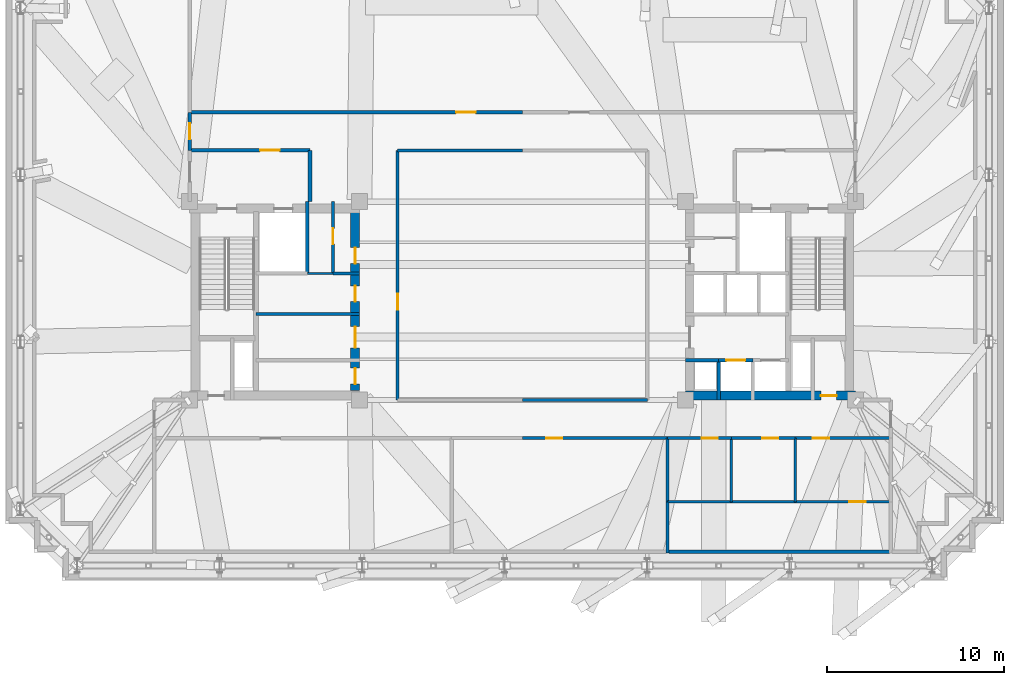
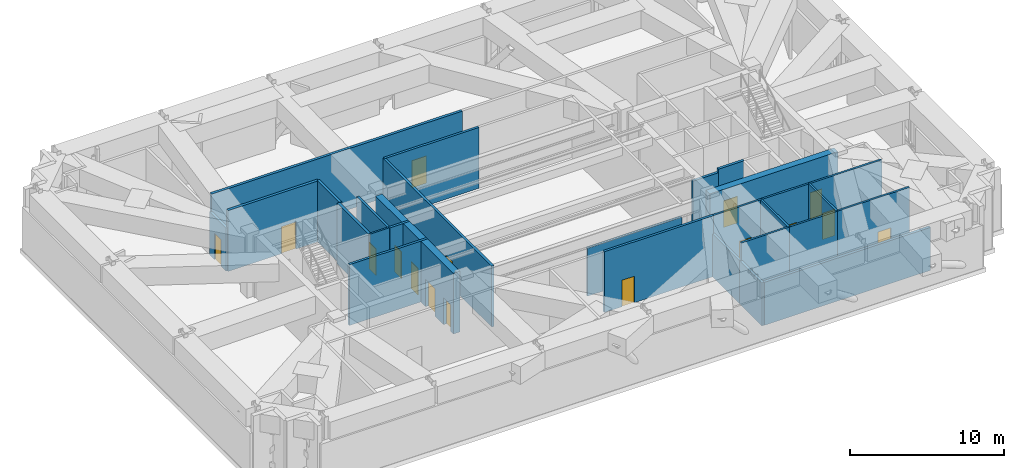
# One storey, part 14 of 18: 29 walls, 16 doors, 16 openings.
"""IFC4 building model written with IfcOpenShell, lengths in metres."""

import ifcopenshell
import ifcopenshell.guid

model = None  # the IFC model being written
_history = None  # IfcOwnerHistory: only IFC2X3 demands one
_inside = {}  # id of a spatial element -> (the spatial element, [elements in it])
_under = {}  # id of a project, library or spatial element -> (it, [spatial elements below it])
_declared = {}  # id of a project -> (the project, [libraries it declares])
_typed = {}  # id of a type object -> (the type object, [elements of that type])
_made_of = {}  # id of a material, layer set ... -> (it, [elements and type objects made of it])


def new_model(schema):
    """Start an empty IFC model of exactly this schema.

    Asked for "IFC4X3", IfcOpenShell would pick the latest addendum, in which some entities
    have other attributes; the version numbers below select the first issue.
    IFC2X3 requires an IfcOwnerHistory on every rooted entity: one is made here for all.
    """
    global model, _history
    if schema == "IFC4X3":
        model = ifcopenshell.file(schema_version=(4, 3, 0, 0))
    else:
        model = ifcopenshell.file(schema=schema)
    _inside.clear()
    _under.clear()
    _declared.clear()
    _typed.clear()
    _made_of.clear()
    _history = None
    if model.schema == "IFC2X3":
        org = make("IfcOrganization", Name="unknown")
        user = make(
            "IfcPersonAndOrganization",
            ThePerson=make("IfcPerson", FamilyName="unknown"),
            TheOrganization=org,
        )
        app = make(
            "IfcApplication",
            ApplicationDeveloper=org,
            Version="unknown",
            ApplicationFullName="unknown",
            ApplicationIdentifier="unknown",
        )
        _history = make(
            "IfcOwnerHistory",
            OwningUser=user,
            OwningApplication=app,
            ChangeAction="ADDED",
            CreationDate=0,
        )
    return model


def make(cls, **values):
    """One entity of the class cls with the attributes given. An attribute that is None is left unset."""
    return model.create_entity(
        cls, **{name: value for name, value in values.items() if value is not None}
    )


def rooted(cls, **values):
    """An entity with a GlobalId (a new one), such as an element, a storey or a relation."""
    return make(cls, GlobalId=ifcopenshell.guid.new(), OwnerHistory=_history, **values)


def si_unit(unit_type, name, prefix=None):
    """IfcSIUnit, for example si_unit("LENGTHUNIT", "METRE", prefix="MILLI")."""
    return make("IfcSIUnit", UnitType=unit_type, Prefix=prefix, Name=name)


def assignment(units):
    """IfcUnitAssignment: the units of a project."""
    return None if units is None else make("IfcUnitAssignment", Units=units)


def point(xyz):
    """IfcCartesianPoint."""
    return None if xyz is None else make("IfcCartesianPoint", Coordinates=xyz)


def direction(xyz):
    """IfcDirection."""
    return None if xyz is None else make("IfcDirection", DirectionRatios=xyz)


def frame(location, z_axis=None, x_axis=None):
    """IfcAxis2Placement3D, a coordinate frame: its origin and axes. An axis left out is left unset."""
    return make(
        "IfcAxis2Placement3D",
        Location=point(location),
        Axis=direction(z_axis),
        RefDirection=direction(x_axis),
    )


def frame_2d(location, x_axis=None):
    """IfcAxis2Placement2D, a coordinate frame in the plane: its origin and x axis."""
    return make(
        "IfcAxis2Placement2D", Location=point(location), RefDirection=direction(x_axis)
    )


def origin():
    """The frame at (0, 0, 0) with its axes left unset."""
    return frame((0.0, 0.0, 0.0))


def place(relative_to, where):
    """IfcLocalPlacement: puts the frame where relative to a parent placement (None: the world)."""
    return make(
        "IfcLocalPlacement", PlacementRelTo=relative_to, RelativePlacement=where
    )


def context(
    kind, dimensions, precision=None, world=None, true_north=None, identifier=None
):
    """IfcGeometricRepresentationContext, for example the 3D "Model" context."""
    return make(
        "IfcGeometricRepresentationContext",
        ContextIdentifier=identifier,
        ContextType=kind,
        CoordinateSpaceDimension=dimensions,
        Precision=precision,
        WorldCoordinateSystem=world,
        TrueNorth=true_north,
    )


def subcontext(parent, identifier, kind, view, scale=None):
    """IfcGeometricRepresentationSubContext, for example "Body" below "Model"."""
    return make(
        "IfcGeometricRepresentationSubContext",
        ContextIdentifier=identifier,
        ContextType=kind,
        ParentContext=parent,
        TargetScale=scale,
        TargetView=view,
    )


def project(units=None, contexts=None):
    """IfcProject with its units and contexts."""
    return rooted(
        "IfcProject",
        Name="project",
        RepresentationContexts=contexts,
        UnitsInContext=assignment(units),
    )


def spatial(cls, under=None, at=None, **own):
    """A site, building, storey or space (cls), placed at a placement, below another one or the project."""
    s = rooted(cls, ObjectPlacement=at, **own)
    if under is not None:
        _under.setdefault(under.id(), (under, []))[1].append(s)
    return s


def profile(cls, at=None, kind="AREA", **sizes):
    """A parametric profile (cls). Its sizes go by their IFC names, for example OverallWidth=200.0."""
    return make(cls, ProfileType=kind, Position=at, **sizes)


def rectangle(**sizes):
    """IfcRectangleProfileDef."""
    return profile("IfcRectangleProfileDef", **sizes)


def extrude(swept, where, along, depth):
    """IfcExtrudedAreaSolid: the profile swept, set in the frame where, extruded along a direction by depth."""
    return make(
        "IfcExtrudedAreaSolid",
        SweptArea=swept,
        Position=where,
        ExtrudedDirection=direction(along),
        Depth=depth,
    )


def shape(context_of_items, identifier, shape_type, items):
    """IfcShapeRepresentation: the items that make up one representation, for example the "Body"."""
    return make(
        "IfcShapeRepresentation",
        ContextOfItems=context_of_items,
        RepresentationIdentifier=identifier,
        RepresentationType=shape_type,
        Items=items,
    )


def material(Name=None, Category=None):
    """IfcMaterial."""
    return make("IfcMaterial", Name=Name, Category=Category)


def layer(
    of_material, thickness, ventilated=None, Name=None, Category=None, Priority=None
):
    """IfcMaterialLayer: one layer of a wall or slab, of a material (None: an air gap)."""
    return make(
        "IfcMaterialLayer",
        Material=of_material,
        LayerThickness=thickness,
        IsVentilated=ventilated,
        Name=Name,
        Category=Category,
        Priority=Priority,
    )


def layer_set(layers, Name=None):
    """IfcMaterialLayerSet."""
    return make("IfcMaterialLayerSet", MaterialLayers=layers, LayerSetName=Name)


def made_of(thing, what):
    """Note that an element or type object is made of a material, layer set ...; save() writes the relation."""
    if what is not None:
        _made_of.setdefault(what.id(), (what, []))[1].append(thing)
    return thing


def type_object(cls, material=None, **own):
    """A type object (cls), such as IfcWallType, which elements share."""
    return made_of(rooted(cls, **own), material)


def element(
    cls,
    number,
    at=None,
    inside=None,
    cuts=None,
    type_object=None,
    material=None,
    context=None,
    identifier="Body",
    shape_type=None,
    held_by="IfcProductDefinitionShape",
    body=None,
    shapes=None,
    **own,
):
    """One element of the class cls, such as IfcWall. Its Tag is "e" and its number.

    at: its placement. inside: the storey or other place that contains it. cuts: it is an
    opening in that element (IfcRelVoidsElement). A single representation is given by context,
    identifier, shape_type and body (its items); several are given by shapes. held_by: the class
    of the entity that holds the representations. save() writes the other relations.
    """
    e = rooted(cls, Tag="e%d" % number, ObjectPlacement=at, **own)
    if body is not None:
        shapes = [shape(context, identifier, shape_type, body)]
    if shapes is not None:
        e.Representation = make(held_by, Representations=shapes)
    if inside is not None:
        _inside.setdefault(inside.id(), (inside, []))[1].append(e)
    if cuts is not None:
        rooted(
            "IfcRelVoidsElement", RelatingBuildingElement=cuts, RelatedOpeningElement=e
        )
    if type_object is not None:
        _typed.setdefault(type_object.id(), (type_object, []))[1].append(e)
    return made_of(e, material)


def fill(opening, filler):
    """IfcRelFillsElement: the door or window that sits in an opening."""
    return rooted(
        "IfcRelFillsElement",
        RelatingOpeningElement=opening,
        RelatedBuildingElement=filler,
    )


def aggregate(whole, parts):
    """IfcRelAggregates: a whole, such as a stair, and the parts it consists of."""
    return rooted("IfcRelAggregates", RelatingObject=whole, RelatedObjects=parts)


def save(model, path):
    """Write the relations noted so far, then the file.

    IfcRelAggregates (storeys below a building ...), IfcRelContainedInSpatialStructure (elements
    in a storey), IfcRelDefinesByType, IfcRelAssociatesMaterial and IfcRelDeclares: one each for
    every whole, place, type object, material and project.
    """
    for whole, parts in _under.values():
        aggregate(whole, parts)
    for where, things in _inside.values():
        rooted(
            "IfcRelContainedInSpatialStructure",
            RelatedElements=things,
            RelatingStructure=where,
        )
    for kind, things in _typed.values():
        rooted("IfcRelDefinesByType", RelatedObjects=things, RelatingType=kind)
    for what, things in _made_of.values():
        rooted("IfcRelAssociatesMaterial", RelatedObjects=things, RelatingMaterial=what)
    for by, libraries in _declared.values():
        rooted("IfcRelDeclares", RelatingContext=by, RelatedDefinitions=libraries)
    model.write(path)


model = new_model("IFC4")

# Units and contexts
model_context = context("Model", 3, precision=1e-05, world=origin(), true_north=direction((0.0, 1.0)))
body_context = subcontext(model_context, "Body", "Model", "MODEL_VIEW")
ifc_project = project(units=[si_unit("LENGTHUNIT", "METRE"), si_unit("AREAUNIT", "SQUARE_METRE"), si_unit("VOLUMEUNIT", "CUBIC_METRE"), si_unit("PLANEANGLEUNIT", "RADIAN"), si_unit("MASSUNIT", "GRAM", prefix="KILO")], contexts=[model_context])

# Site, building, storey
site_placement = place(None, origin())
site = spatial("IfcSite", under=ifc_project, at=site_placement, CompositionType="ELEMENT")
building_placement = place(site_placement, origin())
building = spatial("IfcBuilding", under=site, at=building_placement, Name="Qobustan Lattice House", CompositionType="ELEMENT")
storey_placement = place(building_placement, frame((0.0, 0.0, 174.550048828125)))
storey = spatial("IfcBuildingStorey", under=building, at=storey_placement, Name="L49", CompositionType="ELEMENT", Elevation=174.550048828125)

# Wall, openings, doors
ifc_material_1 = material(Name="Concrete C50/60", Category="concrete")
ifc_layer_1 = layer(ifc_material_1, 0.5)
ifc_layer_set_1 = layer_set([ifc_layer_1], Name="Concrete C50/60")
wall_type_1 = type_object("IfcWallType", Name="WAL-CORE-500", PredefinedType="SHEAR", material=ifc_layer_set_1)
wall_1_placement = place(storey_placement, frame((-9.449951171875, -5.050048828125, 0.0), z_axis=(0.0, 0.0, 1.0), x_axis=(0.0, 1.0, 0.0)))
wall_1 = element("IfcWall", 1, at=wall_1_placement, inside=storey, type_object=wall_type_1, Name="L49 split-core shear wall CW-E", PredefinedType="SHEAR", context=body_context, shape_type="SweptSolid", body=[
    extrude(rectangle(XDim=10.10009765625, YDim=0.5, at=frame_2d((5.050048828125, 0.0))), origin(), (0.0, 0.0, 1.0), 4.820068359375),
])
opening_1_placement = place(wall_1_placement, frame((7.14990234375, 0.0, 0.0)))
opening_1 = element("IfcOpeningElement", 2, at=opening_1_placement, cuts=wall_1, Name="Opening RD-01", PredefinedType="OPENING", context=body_context, shape_type="SweptSolid", body=[
    extrude(rectangle(XDim=0.89990234375, YDim=2.10009765625, at=frame_2d((0.449951171875, 1.050048828125))), frame((0.0, 0.260009765625, 0.0), z_axis=(0.0, -1.0, 0.0), x_axis=(1.0, 0.0, 0.0)), (0.0, 0.0, 1.0), 0.52001953125),
])
opening_2_placement = place(wall_1_placement, frame((2.39990234375, 0.0, 0.0)))
opening_2 = element("IfcOpeningElement", 3, at=opening_2_placement, cuts=wall_1, Name="Opening FD-01", PredefinedType="OPENING", context=body_context, shape_type="SweptSolid", body=[
    extrude(rectangle(XDim=1.199951171875, YDim=2.14990234375, at=frame_2d((0.60009765625, 1.074951171875))), frame((0.0, 0.260009765625, 0.0), z_axis=(0.0, -1.0, 0.0), x_axis=(1.0, 0.0, 0.0)), (0.0, 0.0, 1.0), 0.52001953125),
])
opening_3_placement = place(wall_1_placement, frame((0.35009765625, 0.0, 0.0)))
opening_3 = element("IfcOpeningElement", 4, at=opening_3_placement, cuts=wall_1, Name="Opening RD-01", PredefinedType="OPENING", context=body_context, shape_type="SweptSolid", body=[
    extrude(rectangle(XDim=0.89990234375, YDim=2.10009765625, at=frame_2d((0.449951171875, 1.050048828125))), frame((0.0, 0.260009765625, 0.0), z_axis=(0.0, -1.0, 0.0), x_axis=(1.0, 0.0, 0.0)), (0.0, 0.0, 1.0), 0.52001953125),
])
opening_4_placement = place(wall_1_placement, frame((5.0, 0.0, 0.0)))
opening_4 = element("IfcOpeningElement", 5, at=opening_4_placement, cuts=wall_1, Name="Opening RD-01", PredefinedType="OPENING", context=body_context, shape_type="SweptSolid", body=[
    extrude(rectangle(XDim=0.89990234375, YDim=2.10009765625, at=frame_2d((0.449951171875, 1.050048828125))), frame((0.0, 0.260009765625, 0.0), z_axis=(0.0, -1.0, 0.0), x_axis=(1.0, 0.0, 0.0)), (0.0, 0.0, 1.0), 0.52001953125),
])
ifc_material_2 = material(Name="Persian walnut timber and steel frame door", Category="steel")
door_type_1 = type_object("IfcDoorType", Name="DOR-LOBBY-FD-1200x2150", OperationType="NOTDEFINED", PredefinedType="DOOR", material=ifc_material_2)
door_1_placement = place(opening_2_placement, origin())
door_1 = element("IfcDoor", 6, at=door_1_placement, inside=storey, type_object=door_type_1, Name="L49 West core foyer fire door", OperationType="SINGLE_SWING_RIGHT", OverallHeight=2.14990234375, OverallWidth=1.199951171875, PredefinedType="DOOR", context=body_context, shape_type="SweptSolid", body=[
    extrude(rectangle(XDim=1.199951171875, YDim=2.14990234375, at=frame_2d((0.60009765625, 1.074951171875))), frame((0.0, 0.02490234375, 0.0), z_axis=(0.0, -1.0, 0.0), x_axis=(1.0, 0.0, 0.0)), (0.0, 0.0, 1.0), 0.050048828125),
])
fill(opening_2, door_1)
ifc_material_3 = material(Name="Persian walnut timber and steel frame door", Category="steel")
door_type_2 = type_object("IfcDoorType", Name="DOR-RISER-FD-900x2100", OperationType="NOTDEFINED", PredefinedType="DOOR", material=ifc_material_3)
door_2_placement = place(opening_1_placement, origin())
door_2 = element("IfcDoor", 7, at=door_2_placement, inside=storey, type_object=door_type_2, Name="L49 Data comms closet fire door", OperationType="SINGLE_SWING_LEFT", OverallHeight=2.10009765625, OverallWidth=0.89990234375, PredefinedType="DOOR", context=body_context, shape_type="SweptSolid", body=[
    extrude(rectangle(XDim=0.89990234375, YDim=2.10009765625, at=frame_2d((0.449951171875, 1.050048828125))), frame((0.0, 0.02490234375, 0.0), z_axis=(0.0, -1.0, 0.0), x_axis=(1.0, 0.0, 0.0)), (0.0, 0.0, 1.0), 0.050048828125),
])
fill(opening_1, door_2)
door_3_placement = place(opening_3_placement, origin())
door_3 = element("IfcDoor", 8, at=door_3_placement, inside=storey, type_object=door_type_2, Name="L49 Collaborative study lounge fire door", OperationType="SINGLE_SWING_LEFT", OverallHeight=2.10009765625, OverallWidth=0.89990234375, PredefinedType="DOOR", context=body_context, shape_type="SweptSolid", body=[
    extrude(rectangle(XDim=0.89990234375, YDim=2.10009765625, at=frame_2d((0.449951171875, 1.050048828125))), frame((0.0, 0.02490234375, 0.0), z_axis=(0.0, -1.0, 0.0), x_axis=(1.0, 0.0, 0.0)), (0.0, 0.0, 1.0), 0.050048828125),
])
fill(opening_3, door_3)
door_4_placement = place(opening_4_placement, origin())
door_4 = element("IfcDoor", 9, at=door_4_placement, inside=storey, type_object=door_type_2, Name="L49 Focus booth pod fire door", OperationType="SINGLE_SWING_RIGHT", OverallHeight=2.10009765625, OverallWidth=0.89990234375, PredefinedType="DOOR", context=body_context, shape_type="SweptSolid", body=[
    extrude(rectangle(XDim=0.89990234375, YDim=2.10009765625, at=frame_2d((0.449951171875, 1.050048828125))), frame((0.0, 0.02490234375, 0.0), z_axis=(0.0, -1.0, 0.0), x_axis=(1.0, 0.0, 0.0)), (0.0, 0.0, 1.0), 0.050048828125),
])
fill(opening_4, door_4)

# Wall, opening, door
wall_2_placement = place(storey_placement, frame((9.199951171875, -5.35009765625, 0.0), z_axis=(0.0, 0.0, 1.0), x_axis=(1.0, 0.0, 0.0)))
wall_2 = element("IfcWall", 10, at=wall_2_placement, inside=storey, type_object=wall_type_1, Name="L49 split-core shear wall CE-S", PredefinedType="SHEAR", context=body_context, shape_type="SweptSolid", body=[
    extrude(rectangle(XDim=9.60009765625, YDim=0.5, at=frame_2d((4.800048828125, 0.0))), origin(), (0.0, 0.0, 1.0), 4.820068359375),
])
opening_5_placement = place(wall_2_placement, frame((7.64990234375, 0.0, 0.0)))
opening_5 = element("IfcOpeningElement", 11, at=opening_5_placement, cuts=wall_2, Name="Opening RD-01", PredefinedType="OPENING", context=body_context, shape_type="SweptSolid", body=[
    extrude(rectangle(XDim=0.89990234375, YDim=2.10009765625, at=frame_2d((0.449951171875, 1.050048828125))), frame((0.0, 0.260009765625, 0.0), z_axis=(0.0, -1.0, 0.0), x_axis=(1.0, 0.0, 0.0)), (0.0, 0.0, 1.0), 0.52001953125),
])
door_5_placement = place(opening_5_placement, origin())
door_5 = element("IfcDoor", 12, at=door_5_placement, inside=storey, type_object=door_type_2, Name="L49 core service riser access door E", OperationType="SINGLE_SWING_LEFT", OverallHeight=2.10009765625, OverallWidth=0.89990234375, PredefinedType="DOOR", context=body_context, shape_type="SweptSolid", body=[
    extrude(rectangle(XDim=0.89990234375, YDim=2.10009765625, at=frame_2d((0.449951171875, 1.050048828125))), frame((0.0, 0.02490234375, 0.0), z_axis=(0.0, -1.0, 0.0), x_axis=(1.0, 0.0, 0.0)), (0.0, 0.0, 1.0), 0.050048828125),
])
fill(opening_5, door_5)

ifc_material_4 = material(Name="Gypsum fireboard acoustic partition", Category="gypsum")
ifc_layer_2 = layer(ifc_material_4, 0.179931640625)
ifc_layer_set_2 = layer_set([ifc_layer_2], Name="Gypsum fireboard acoustic partition")
wall_type_2 = type_object("IfcWallType", Name="WAL-FIRE-180", PredefinedType="PARTITIONING", material=ifc_layer_set_2)
wall_3_placement = place(storey_placement, frame((-10.699951171875, 5.60009765625, 0.0), z_axis=(0.0, 0.0, 1.0), x_axis=(0.0, -1.0, 0.0)))
wall_3 = element("IfcWall", 13, at=wall_3_placement, inside=storey, type_object=wall_type_2, Name="L49 interior partition 6", PredefinedType="PARTITIONING", context=body_context, shape_type="SweptSolid", body=[
    extrude(rectangle(XDim=4.050048828125, YDim=0.179931640625, at=frame_2d((2.02490234375, 0.0))), origin(), (0.0, 0.0, 1.0), 4.820068359375),
])
opening_6_placement = place(wall_3_placement, frame((1.5, 0.0, 0.0)))
opening_6 = element("IfcOpeningElement", 14, at=opening_6_placement, cuts=wall_3, Name="Opening RD-01", PredefinedType="OPENING", context=body_context, shape_type="SweptSolid", body=[
    extrude(rectangle(XDim=0.89990234375, YDim=2.10009765625, at=frame_2d((0.449951171875, 1.050048828125))), frame((0.0, 0.099853515625, 0.0), z_axis=(0.0, -1.0, 0.0), x_axis=(1.0, 0.0, 0.0)), (0.0, 0.0, 1.0), 0.199951171875),
])
door_6_placement = place(opening_6_placement, origin())
door_6 = element("IfcDoor", 15, at=door_6_placement, inside=storey, type_object=door_type_2, Name="L49 Data comms closet to Linen store door", OperationType="SINGLE_SWING_RIGHT", OverallHeight=2.10009765625, OverallWidth=0.89990234375, PredefinedType="DOOR", context=body_context, shape_type="SweptSolid", body=[
    extrude(rectangle(XDim=0.89990234375, YDim=2.10009765625, at=frame_2d((0.449951171875, 1.050048828125))), frame((0.0, 0.02490234375, 0.0), z_axis=(0.0, -1.0, 0.0), x_axis=(1.0, 0.0, 0.0)), (0.0, 0.0, 1.0), 0.050048828125),
])
fill(opening_6, door_6)

# Walls
wall_4_placement = place(storey_placement, frame((-10.699951171875, 1.550048828125, 0.0), z_axis=(0.0, 0.0, 1.0), x_axis=(1.0, 0.0, 0.0)))
element("IfcWall", 16, at=wall_4_placement, inside=storey, type_object=wall_type_2, Name="L49 interior partition 7", PredefinedType="PARTITIONING", context=body_context, shape_type="SweptSolid", body=[
    extrude(rectangle(XDim=1.5, YDim=0.179931640625, at=frame_2d((0.75, 0.0))), origin(), (0.0, 0.0, 1.0), 4.820068359375),
])
wall_5_placement = place(storey_placement, frame((-9.199951171875, -0.75, 0.0), z_axis=(0.0, 0.0, 1.0), x_axis=(-1.0, 0.0, 0.0)))
element("IfcWall", 17, at=wall_5_placement, inside=storey, type_object=wall_type_2, Name="L49 interior partition 11", PredefinedType="PARTITIONING", context=body_context, shape_type="SweptSolid", body=[
    extrude(rectangle(XDim=5.85009765625, YDim=0.179931640625, at=frame_2d((2.925048828125, 0.0))), origin(), (0.0, 0.0, 1.0), 4.820068359375),
])
wall_6_placement = place(storey_placement, frame((0.0, 8.5, 0.0), z_axis=(0.0, 0.0, 1.0), x_axis=(-1.0, 0.0, 0.0)))
element("IfcWall", 18, at=wall_6_placement, inside=storey, type_object=wall_type_2, Name="L49 interior partition 36", PredefinedType="PARTITIONING", context=body_context, shape_type="SweptSolid", body=[
    extrude(rectangle(XDim=7.050048828125, YDim=0.179931640625, at=frame_2d((3.52490234375, 0.0))), origin(), (0.0, 0.0, 1.0), 4.820068359375),
])

# Wall, opening, door
wall_7_placement = place(storey_placement, frame((8.199951171875, -7.75, 0.0), z_axis=(0.0, 0.0, 1.0), x_axis=(-1.0, 0.0, 0.0)))
wall_7 = element("IfcWall", 19, at=wall_7_placement, inside=storey, type_object=wall_type_2, Name="L49 interior partition 47", PredefinedType="PARTITIONING", context=body_context, shape_type="SweptSolid", body=[
    extrude(rectangle(XDim=8.199951171875, YDim=0.179931640625, at=frame_2d((4.10009765625, 0.0))), origin(), (0.0, 0.0, 1.0), 4.820068359375),
])
opening_7_placement = place(wall_7_placement, frame((5.952392578125, 0.0, 0.0)))
opening_7 = element("IfcOpeningElement", 20, at=opening_7_placement, cuts=wall_7, Name="Opening RD-01", PredefinedType="OPENING", context=body_context, shape_type="SweptSolid", body=[
    extrude(rectangle(XDim=0.89990234375, YDim=2.10009765625, at=frame_2d((0.449951171875, 1.050048828125))), frame((0.0, 0.099853515625, 0.0), z_axis=(0.0, -1.0, 0.0), x_axis=(1.0, 0.0, 0.0)), (0.0, 0.0, 1.0), 0.199951171875),
])
door_7_placement = place(opening_7_placement, origin())
door_7 = element("IfcDoor", 21, at=door_7_placement, inside=storey, type_object=door_type_2, Name="L49 South-east mechanical plant corridor to Zone AHU chiller and HV switchgear plant door", OperationType="SINGLE_SWING_LEFT", OverallHeight=2.10009765625, OverallWidth=0.89990234375, PredefinedType="DOOR", context=body_context, shape_type="SweptSolid", body=[
    extrude(rectangle(XDim=0.89990234375, YDim=2.10009765625, at=frame_2d((0.449951171875, 1.050048828125))), frame((0.0, 0.02490234375, 0.0), z_axis=(0.0, -1.0, 0.0), x_axis=(1.0, 0.0, 0.0)), (0.0, 0.0, 1.0), 0.050048828125),
])
fill(opening_7, door_7)

# Wall
wall_8_placement = place(storey_placement, frame((0.0, -5.60009765625, 0.0), z_axis=(0.0, 0.0, 1.0), x_axis=(1.0, 0.0, 0.0)))
element("IfcWall", 22, at=wall_8_placement, inside=storey, type_object=wall_type_2, Name="L49 interior partition 51", PredefinedType="PARTITIONING", context=body_context, shape_type="SweptSolid", body=[
    extrude(rectangle(XDim=7.050048828125, YDim=0.179931640625, at=frame_2d((3.52490234375, 0.0))), origin(), (0.0, 0.0, 1.0), 3.796875),
])

# Wall, opening, door
wall_9_placement = place(storey_placement, frame((-7.050048828125, 8.5, 0.0), z_axis=(0.0, 0.0, 1.0), x_axis=(0.0, -1.0, 0.0)))
wall_9 = element("IfcWall", 23, at=wall_9_placement, inside=storey, type_object=wall_type_2, Name="L49 interior partition 52", PredefinedType="PARTITIONING", context=body_context, shape_type="SweptSolid", body=[
    extrude(rectangle(XDim=14.10009765625, YDim=0.179931640625, at=frame_2d((7.050048828125, 0.0))), origin(), (0.0, 0.0, 1.0), 4.820068359375),
])
opening_8_placement = place(wall_9_placement, frame((8.10498046875, 0.0, 0.0)))
opening_8 = element("IfcOpeningElement", 24, at=opening_8_placement, cuts=wall_9, Name="Opening RD-01", PredefinedType="OPENING", context=body_context, shape_type="SweptSolid", body=[
    extrude(rectangle(XDim=0.89990234375, YDim=2.10009765625, at=frame_2d((0.449951171875, 1.050048828125))), frame((0.0, 0.099853515625, 0.0), z_axis=(0.0, -1.0, 0.0), x_axis=(1.0, 0.0, 0.0)), (0.0, 0.0, 1.0), 0.199951171875),
])
door_8_placement = place(opening_8_placement, origin())
door_8 = element("IfcDoor", 25, at=door_8_placement, inside=storey, type_object=door_type_2, Name="L49 West mechanical plant link corridor to Calorifier and BMS control plant door", OperationType="SINGLE_SWING_LEFT", OverallHeight=2.10009765625, OverallWidth=0.89990234375, PredefinedType="DOOR", context=body_context, shape_type="SweptSolid", body=[
    extrude(rectangle(XDim=0.89990234375, YDim=2.10009765625, at=frame_2d((0.449951171875, 1.050048828125))), frame((0.0, 0.02490234375, 0.0), z_axis=(0.0, -1.0, 0.0), x_axis=(1.0, 0.0, 0.0)), (0.0, 0.0, 1.0), 0.050048828125),
])
fill(opening_8, door_8)

# Walls
wall_10_placement = place(storey_placement, frame((8.199951171875, -7.75, 0.0), z_axis=(0.0, 0.0, 1.0), x_axis=(0.0, -1.0, 0.0)))
element("IfcWall", 26, at=wall_10_placement, inside=storey, type_object=wall_type_2, Name="L49 interior partition 60", PredefinedType="PARTITIONING", context=body_context, shape_type="SweptSolid", body=[
    extrude(rectangle(XDim=3.60009765625, YDim=0.179931640625, at=frame_2d((1.800048828125, 0.0))), origin(), (0.0, 0.0, 1.0), 3.405029296875),
])
wall_11_placement = place(storey_placement, frame((8.199951171875, -11.35009765625, 0.0), z_axis=(0.0, 0.0, 1.0), x_axis=(0.0, -1.0, 0.0)))
element("IfcWall", 27, at=wall_11_placement, inside=storey, type_object=wall_type_2, Name="L49 interior partition 61", PredefinedType="PARTITIONING", context=body_context, shape_type="SweptSolid", body=[
    extrude(rectangle(XDim=2.89990234375, YDim=0.179931640625, at=frame_2d((1.449951171875, 0.0))), origin(), (0.0, 0.0, 1.0), 3.405029296875),
])
ifc_material_5 = material(Name="Lightweight acoustic stud partition", Category="gypsum")
ifc_layer_3 = layer(ifc_material_5, 0.125)
ifc_layer_set_3 = layer_set([ifc_layer_3], Name="Lightweight acoustic stud partition")
wall_type_3 = type_object("IfcWallType", Name="WAL-PART-125", PredefinedType="PARTITIONING", material=ifc_layer_set_3)
wall_12_placement = place(storey_placement, frame((-12.14990234375, 1.550048828125, 0.0), z_axis=(0.0, 0.0, 1.0), x_axis=(1.0, 0.0, 0.0)))
element("IfcWall", 28, at=wall_12_placement, inside=storey, type_object=wall_type_3, Name="L49 interior partition 9", PredefinedType="PARTITIONING", context=body_context, shape_type="SweptSolid", body=[
    extrude(rectangle(XDim=1.449951171875, YDim=0.125, at=frame_2d((0.72509765625, 0.0))), origin(), (0.0, 0.0, 1.0), 4.820068359375),
])

# Wall, opening, door
ifc_material_6 = material(Name="Acoustic twin-stud gypsum partition", Category="gypsum")
ifc_layer_4 = layer(ifc_material_6, 0.14990234375)
ifc_layer_set_4 = layer_set([ifc_layer_4], Name="Acoustic twin-stud gypsum partition")
wall_type_4 = type_object("IfcWallType", Name="WAL-PART-150", PredefinedType="PARTITIONING", material=ifc_layer_set_4)
wall_13_placement = place(storey_placement, frame((20.800048828125, -7.75, 0.0), z_axis=(0.0, 0.0, 1.0), x_axis=(-1.0, 0.0, 0.0)))
wall_13 = element("IfcWall", 29, at=wall_13_placement, inside=storey, type_object=wall_type_4, Name="L49 interior partition 50", PredefinedType="PARTITIONING", context=body_context, shape_type="SweptSolid", body=[
    extrude(rectangle(XDim=5.400146484375, YDim=0.14990234375, at=frame_2d((2.7001953125, 0.0))), origin(), (0.0, 0.0, 1.0), 4.820068359375),
])
opening_9_placement = place(wall_13_placement, frame((3.458740234375, 0.0, 0.0)))
opening_9 = element("IfcOpeningElement", 30, at=opening_9_placement, cuts=wall_13, Name="Opening ID-01", PredefinedType="OPENING", context=body_context, shape_type="SweptSolid", body=[
    extrude(rectangle(XDim=0.949951171875, YDim=2.10009765625, at=frame_2d((0.47509765625, 1.050048828125))), frame((0.0, 0.0849609375, 0.0), z_axis=(0.0, -1.0, 0.0), x_axis=(1.0, 0.0, 0.0)), (0.0, 0.0, 1.0), 0.169921875),
])
ifc_material_7 = material(Name="Persian walnut timber and steel frame door", Category="steel")
door_type_3 = type_object("IfcDoorType", Name="DOR-ROOM-950x2100", OperationType="NOTDEFINED", PredefinedType="DOOR", material=ifc_material_7)
door_9_placement = place(opening_9_placement, origin())
door_9 = element("IfcDoor", 31, at=door_9_placement, inside=storey, type_object=door_type_3, Name="L49 South-east mechanical plant corridor to Janitor supply store door", OperationType="SINGLE_SWING_RIGHT", OverallHeight=2.10009765625, OverallWidth=0.949951171875, PredefinedType="DOOR", context=body_context, shape_type="SweptSolid", body=[
    extrude(rectangle(XDim=0.949951171875, YDim=2.10009765625, at=frame_2d((0.47509765625, 1.050048828125))), frame((0.0, 0.02490234375, 0.0), z_axis=(0.0, -1.0, 0.0), x_axis=(1.0, 0.0, 0.0)), (0.0, 0.0, 1.0), 0.050048828125),
])
fill(opening_9, door_9)

wall_14_placement = place(storey_placement, frame((20.800048828125, -11.35009765625, 0.0), z_axis=(0.0, 0.0, 1.0), x_axis=(-1.0, 0.0, 0.0)))
wall_14 = element("IfcWall", 32, at=wall_14_placement, inside=storey, type_object=wall_type_4, Name="L49 interior partition 66", PredefinedType="PARTITIONING", context=body_context, shape_type="SweptSolid", body=[
    extrude(rectangle(XDim=5.400146484375, YDim=0.14990234375, at=frame_2d((2.7001953125, 0.0))), origin(), (0.0, 0.0, 1.0), 4.820068359375),
])
opening_10_placement = place(wall_14_placement, frame((1.402587890625, 0.0, 0.0)))
opening_10 = element("IfcOpeningElement", 33, at=opening_10_placement, cuts=wall_14, Name="Opening ID-01", PredefinedType="OPENING", context=body_context, shape_type="SweptSolid", body=[
    extrude(rectangle(XDim=0.949951171875, YDim=2.10009765625, at=frame_2d((0.47509765625, 1.050048828125))), frame((0.0, 0.0849609375, 0.0), z_axis=(0.0, -1.0, 0.0), x_axis=(1.0, 0.0, 0.0)), (0.0, 0.0, 1.0), 0.169921875),
])
door_10_placement = place(opening_10_placement, origin())
door_10 = element("IfcDoor", 34, at=door_10_placement, inside=storey, type_object=door_type_3, Name="L49 Janitor supply store to Equipment and archive store door", OperationType="SINGLE_SWING_RIGHT", OverallHeight=2.10009765625, OverallWidth=0.949951171875, PredefinedType="DOOR", context=body_context, shape_type="SweptSolid", body=[
    extrude(rectangle(XDim=0.949951171875, YDim=2.10009765625, at=frame_2d((0.47509765625, 1.050048828125))), frame((0.0, 0.02490234375, 0.0), z_axis=(0.0, -1.0, 0.0), x_axis=(1.0, 0.0, 0.0)), (0.0, 0.0, 1.0), 0.050048828125),
])
fill(opening_10, door_10)

# Wall
ifc_material_8 = material(Name="Two-hour gypsum fireboard acoustic partition", Category="gypsum")
ifc_layer_5 = layer(ifc_material_8, 0.199951171875)
ifc_layer_set_5 = layer_set([ifc_layer_5], Name="Two-hour gypsum fireboard acoustic partition")
wall_type_5 = type_object("IfcWallType", Name="WAL-PROT-200", PredefinedType="PARTITIONING", material=ifc_layer_set_5)
wall_15_placement = place(storey_placement, frame((20.72509765625, -14.175048828125, 0.0), z_axis=(0.0, 0.0, 1.0), x_axis=(-1.0, 0.0, 0.0)))
element("IfcWall", 35, at=wall_15_placement, inside=storey, type_object=wall_type_5, Name="L49 perimeter belt-truss plenum enclosure wall 32", PredefinedType="PARTITIONING", context=body_context, shape_type="SweptSolid", body=[
    extrude(rectangle(XDim=12.4501953125, YDim=0.199951171875, at=frame_2d((6.22509765625, 0.0))), origin(), (0.0, 0.0, 1.0), 3.405029296875),
])

# Wall, opening, door
wall_16_placement = place(storey_placement, frame((-12.0, 8.5, 0.0), z_axis=(0.0, 0.0, 1.0), x_axis=(-1.0, 0.0, 0.0)))
wall_16 = element("IfcWall", 36, at=wall_16_placement, inside=storey, type_object=wall_type_5, Name="L49 interior partition 3", PredefinedType="PARTITIONING", context=body_context, shape_type="SweptSolid", body=[
    extrude(rectangle(XDim=6.800048828125, YDim=0.199951171875, at=frame_2d((3.39990234375, 0.0))), origin(), (0.0, 0.0, 1.0), 4.820068359375),
])
opening_11_placement = place(wall_16_placement, frame((1.715087890625, 0.0, 0.0)))
opening_11 = element("IfcOpeningElement", 37, at=opening_11_placement, cuts=wall_16, Name="Opening SD-01", PredefinedType="OPENING", context=body_context, shape_type="SweptSolid", body=[
    extrude(rectangle(XDim=1.10009765625, YDim=2.14990234375, at=frame_2d((0.550048828125, 1.074951171875))), frame((0.0, 0.10986328125, 0.0), z_axis=(0.0, -1.0, 0.0), x_axis=(1.0, 0.0, 0.0)), (0.0, 0.0, 1.0), 0.219970703125),
])
ifc_material_9 = material(Name="Persian walnut timber and steel frame door", Category="steel")
door_type_4 = type_object("IfcDoorType", Name="DOR-STAIR-FD-1100x2150", OperationType="NOTDEFINED", PredefinedType="DOOR", material=ifc_material_9)
door_11_placement = place(opening_11_placement, origin())
door_11 = element("IfcDoor", 38, at=door_11_placement, inside=storey, type_object=door_type_4, Name="L49 West firefighting lift lobby to North-west mechanical plant corridor door", OperationType="SINGLE_SWING_RIGHT", OverallHeight=2.14990234375, OverallWidth=1.10009765625, PredefinedType="DOOR", context=body_context, shape_type="SweptSolid", body=[
    extrude(rectangle(XDim=1.10009765625, YDim=2.14990234375, at=frame_2d((0.550048828125, 1.074951171875))), frame((0.0, 0.02490234375, 0.0), z_axis=(0.0, -1.0, 0.0), x_axis=(1.0, 0.0, 0.0)), (0.0, 0.0, 1.0), 0.050048828125),
])
fill(opening_11, door_11)

# Wall
wall_17_placement = place(storey_placement, frame((-12.0, 5.60009765625, 0.0), z_axis=(0.0, 0.0, 1.0), x_axis=(0.0, 1.0, 0.0)))
element("IfcWall", 39, at=wall_17_placement, inside=storey, type_object=wall_type_5, Name="L49 interior partition 4", PredefinedType="PARTITIONING", context=body_context, shape_type="SweptSolid", body=[
    extrude(rectangle(XDim=2.89990234375, YDim=0.199951171875, at=frame_2d((1.449951171875, 0.0))), origin(), (0.0, 0.0, 1.0), 4.820068359375),
])

# Wall, opening, door
wall_18_placement = place(storey_placement, frame((-18.800048828125, 8.5, 0.0), z_axis=(0.0, 0.0, 1.0), x_axis=(0.0, 1.0, 0.0)))
wall_18 = element("IfcWall", 40, at=wall_18_placement, inside=storey, type_object=wall_type_5, Name="L49 interior partition 34", PredefinedType="PARTITIONING", context=body_context, shape_type="SweptSolid", body=[
    extrude(rectangle(XDim=2.14990234375, YDim=0.199951171875, at=frame_2d((1.074951171875, 0.0))), origin(), (0.0, 0.0, 1.0), 3.405029296875),
])
opening_12_placement = place(wall_18_placement, frame((0.625, 0.0, 0.0)))
opening_12 = element("IfcOpeningElement", 41, at=opening_12_placement, cuts=wall_18, Name="Opening RD-01", PredefinedType="OPENING", context=body_context, shape_type="SweptSolid", body=[
    extrude(rectangle(XDim=0.89990234375, YDim=2.10009765625, at=frame_2d((0.449951171875, 1.050048828125))), frame((0.0, 0.10986328125, 0.0), z_axis=(0.0, -1.0, 0.0), x_axis=(1.0, 0.0, 0.0)), (0.0, 0.0, 1.0), 0.219970703125),
])
door_12_placement = place(opening_12_placement, origin())
door_12 = element("IfcDoor", 42, at=door_12_placement, inside=storey, type_object=door_type_2, Name="L49 North-west mechanical plant corridor to West protected refuge area door", OperationType="SINGLE_SWING_RIGHT", OverallHeight=2.10009765625, OverallWidth=0.89990234375, PredefinedType="DOOR", context=body_context, shape_type="SweptSolid", body=[
    extrude(rectangle(XDim=0.89990234375, YDim=2.10009765625, at=frame_2d((0.449951171875, 1.050048828125))), frame((0.0, 0.02490234375, 0.0), z_axis=(0.0, -1.0, 0.0), x_axis=(1.0, 0.0, 0.0)), (0.0, 0.0, 1.0), 0.050048828125),
])
fill(opening_12, door_12)

wall_19_placement = place(storey_placement, frame((-18.800048828125, 10.64990234375, 0.0), z_axis=(0.0, 0.0, 1.0), x_axis=(1.0, 0.0, 0.0)))
wall_19 = element("IfcWall", 43, at=wall_19_placement, inside=storey, type_object=wall_type_5, Name="L49 interior partition 35", PredefinedType="PARTITIONING", context=body_context, shape_type="SweptSolid", body=[
    extrude(rectangle(XDim=18.800048828125, YDim=0.199951171875, at=frame_2d((9.39990234375, 0.0))), origin(), (0.0, 0.0, 1.0), 4.820068359375),
])
opening_13_placement = place(wall_19_placement, frame((15.052490234375, 0.0, 0.0)))
opening_13 = element("IfcOpeningElement", 44, at=opening_13_placement, cuts=wall_19, Name="Opening SD-01", PredefinedType="OPENING", context=body_context, shape_type="SweptSolid", body=[
    extrude(rectangle(XDim=1.10009765625, YDim=2.14990234375, at=frame_2d((0.550048828125, 1.074951171875))), frame((0.0, 0.10986328125, 0.0), z_axis=(0.0, -1.0, 0.0), x_axis=(1.0, 0.0, 0.0)), (0.0, 0.0, 1.0), 0.219970703125),
])
door_13_placement = place(opening_13_placement, origin())
door_13 = element("IfcDoor", 45, at=door_13_placement, inside=storey, type_object=door_type_4, Name="L49 North-west mechanical plant corridor to North protected refuge area door", OperationType="SINGLE_SWING_LEFT", OverallHeight=2.14990234375, OverallWidth=1.10009765625, PredefinedType="DOOR", context=body_context, shape_type="SweptSolid", body=[
    extrude(rectangle(XDim=1.10009765625, YDim=2.14990234375, at=frame_2d((0.550048828125, 1.074951171875))), frame((0.0, 0.02490234375, 0.0), z_axis=(0.0, -1.0, 0.0), x_axis=(1.0, 0.0, 0.0)), (0.0, 0.0, 1.0), 0.050048828125),
])
fill(opening_13, door_13)

# Walls
ifc_material_10 = material(Name="Concrete C40/50", Category="concrete")
ifc_layer_6 = layer(ifc_material_10, 0.199951171875)
ifc_layer_set_6 = layer_set([ifc_layer_6], Name="Concrete C40/50")
wall_type_6 = type_object("IfcWallType", Name="WAL-SHAFT-200", PredefinedType="PARTITIONING", material=ifc_layer_set_6)
wall_20_placement = place(storey_placement, frame((-12.14990234375, 1.550048828125, 0.0), z_axis=(0.0, 0.0, 1.0), x_axis=(0.0, 1.0, 0.0)))
element("IfcWall", 46, at=wall_20_placement, inside=storey, type_object=wall_type_6, Name="L49 interior partition 2", PredefinedType="PARTITIONING", context=body_context, shape_type="SweptSolid", body=[
    extrude(rectangle(XDim=4.050048828125, YDim=0.199951171875, at=frame_2d((2.02490234375, 0.0))), origin(), (0.0, 0.0, 1.0), 4.820068359375),
])
wall_21_placement = place(storey_placement, frame((9.199951171875, -3.35009765625, 0.0), z_axis=(0.0, 0.0, 1.0), x_axis=(1.0, 0.0, 0.0)))
element("IfcWall", 47, at=wall_21_placement, inside=storey, type_object=wall_type_6, Name="L49 interior partition 23", PredefinedType="PARTITIONING", context=body_context, shape_type="SweptSolid", body=[
    extrude(rectangle(XDim=1.880126953125, YDim=0.199951171875, at=frame_2d((0.93994140625, 0.0))), origin(), (0.0, 0.0, 1.0), 4.534912109375),
])

# Wall, opening, door
wall_22_placement = place(storey_placement, frame((11.080078125, -3.35009765625, 0.0), z_axis=(0.0, 0.0, 1.0), x_axis=(1.0, 0.0, 0.0)))
wall_22 = element("IfcWall", 48, at=wall_22_placement, inside=storey, type_object=wall_type_6, Name="L49 interior partition 24", PredefinedType="PARTITIONING", context=body_context, shape_type="SweptSolid", body=[
    extrude(rectangle(XDim=1.93994140625, YDim=0.199951171875, at=frame_2d((0.969970703125, 0.0))), origin(), (0.0, 0.0, 1.0), 4.820068359375),
])
opening_14_placement = place(wall_22_placement, frame((0.445068359375, 0.0, 0.0)))
opening_14 = element("IfcOpeningElement", 49, at=opening_14_placement, cuts=wall_22, Name="Opening LD-01", PredefinedType="OPENING", context=body_context, shape_type="SweptSolid", body=[
    extrude(rectangle(XDim=1.050048828125, YDim=2.10009765625, at=frame_2d((0.52490234375, 1.050048828125))), frame((0.0, 0.10986328125, 0.0), z_axis=(0.0, -1.0, 0.0), x_axis=(1.0, 0.0, 0.0)), (0.0, 0.0, 1.0), 0.219970703125),
])
ifc_material_11 = material(Name="Persian walnut timber and steel frame door", Category="steel")
door_type_5 = type_object("IfcDoorType", Name="DOR-LIFT-LD-1050x2100", OperationType="NOTDEFINED", PredefinedType="DOOR", material=ifc_material_11)
door_14_placement = place(opening_14_placement, origin())
door_14 = element("IfcDoor", 50, at=door_14_placement, inside=storey, type_object=door_type_5, Name="L49 lift landing door", OperationType="DOUBLE_DOOR_SLIDING", OverallHeight=2.10009765625, OverallWidth=1.050048828125, PredefinedType="DOOR", context=body_context, shape_type="SweptSolid", body=[
    extrude(rectangle(XDim=1.050048828125, YDim=2.10009765625, at=frame_2d((0.52490234375, 1.050048828125))), frame((0.0, 0.02490234375, 0.0), z_axis=(0.0, -1.0, 0.0), x_axis=(1.0, 0.0, 0.0)), (0.0, 0.0, 1.0), 0.050048828125),
])
fill(opening_14, door_14)

# Wall
wall_23_placement = place(storey_placement, frame((11.080078125, -5.60009765625, 0.0), z_axis=(0.0, 0.0, 1.0), x_axis=(0.0, 1.0, 0.0)))
element("IfcWall", 51, at=wall_23_placement, inside=storey, type_object=wall_type_6, Name="L49 interior partition 30", PredefinedType="PARTITIONING", context=body_context, shape_type="SweptSolid", body=[
    extrude(rectangle(XDim=2.25, YDim=0.199951171875, at=frame_2d((1.125, 0.0))), origin(), (0.0, 0.0, 1.0), 3.405029296875),
])

# Wall, opening, door
ifc_material_12 = material(Name="Moisture-resistant acoustic plumbing wall", Category="gypsum")
ifc_layer_7 = layer(ifc_material_12, 0.14990234375)
ifc_layer_set_7 = layer_set([ifc_layer_7], Name="Moisture-resistant acoustic plumbing wall")
wall_type_7 = type_object("IfcWallType", Name="WAL-WET-150", PredefinedType="PLUMBINGWALL", material=ifc_layer_set_7)
wall_24_placement = place(storey_placement, frame((11.800048828125, -7.75, 0.0), z_axis=(0.0, 0.0, 1.0), x_axis=(-1.0, 0.0, 0.0)))
wall_24 = element("IfcWall", 52, at=wall_24_placement, inside=storey, type_object=wall_type_7, Name="L49 interior partition 48", PredefinedType="PLUMBINGWALL", context=body_context, shape_type="SweptSolid", body=[
    extrude(rectangle(XDim=3.60009765625, YDim=0.14990234375, at=frame_2d((1.800048828125, 0.0))), origin(), (0.0, 0.0, 1.0), 4.820068359375),
])
opening_15_placement = place(wall_24_placement, frame((0.7724609375, 0.0, 0.0)))
opening_15 = element("IfcOpeningElement", 53, at=opening_15_placement, cuts=wall_24, Name="Opening WD-01", PredefinedType="OPENING", context=body_context, shape_type="SweptSolid", body=[
    extrude(rectangle(XDim=0.89990234375, YDim=2.10009765625, at=frame_2d((0.449951171875, 1.050048828125))), frame((0.0, 0.0849609375, 0.0), z_axis=(0.0, -1.0, 0.0), x_axis=(1.0, 0.0, 0.0)), (0.0, 0.0, 1.0), 0.169921875),
])
ifc_material_13 = material(Name="Persian walnut timber and steel frame door", Category="steel")
door_type_6 = type_object("IfcDoorType", Name="DOR-WET-900x2100", OperationType="NOTDEFINED", PredefinedType="DOOR", material=ifc_material_13)
door_15_placement = place(opening_15_placement, origin())
door_15 = element("IfcDoor", 54, at=door_15_placement, inside=storey, type_object=door_type_6, Name="L49 South-east mechanical plant corridor to Public WC door", OperationType="SINGLE_SWING_RIGHT", OverallHeight=2.10009765625, OverallWidth=0.89990234375, PredefinedType="DOOR", context=body_context, shape_type="SweptSolid", body=[
    extrude(rectangle(XDim=0.89990234375, YDim=2.10009765625, at=frame_2d((0.449951171875, 1.050048828125))), frame((0.0, 0.02490234375, 0.0), z_axis=(0.0, -1.0, 0.0), x_axis=(1.0, 0.0, 0.0)), (0.0, 0.0, 1.0), 0.050048828125),
])
fill(opening_15, door_15)

wall_25_placement = place(storey_placement, frame((15.39990234375, -7.75, 0.0), z_axis=(0.0, 0.0, 1.0), x_axis=(-1.0, 0.0, 0.0)))
wall_25 = element("IfcWall", 55, at=wall_25_placement, inside=storey, type_object=wall_type_7, Name="L49 interior partition 49", PredefinedType="PLUMBINGWALL", context=body_context, shape_type="SweptSolid", body=[
    extrude(rectangle(XDim=3.599853515625, YDim=0.14990234375, at=frame_2d((1.7998046875, 0.0))), origin(), (0.0, 0.0, 1.0), 4.820068359375),
])
opening_16_placement = place(wall_25_placement, frame((0.965087890625, 0.0, 0.0)))
opening_16 = element("IfcOpeningElement", 56, at=opening_16_placement, cuts=wall_25, Name="Opening WD-01", PredefinedType="OPENING", context=body_context, shape_type="SweptSolid", body=[
    extrude(rectangle(XDim=0.89990234375, YDim=2.10009765625, at=frame_2d((0.449951171875, 1.050048828125))), frame((0.0, 0.0849609375, 0.0), z_axis=(0.0, -1.0, 0.0), x_axis=(1.0, 0.0, 0.0)), (0.0, 0.0, 1.0), 0.169921875),
])
door_16_placement = place(opening_16_placement, origin())
door_16 = element("IfcDoor", 57, at=door_16_placement, inside=storey, type_object=door_type_6, Name="L49 South-east mechanical plant corridor to Accessible WC door", OperationType="SINGLE_SWING_LEFT", OverallHeight=2.10009765625, OverallWidth=0.89990234375, PredefinedType="DOOR", context=body_context, shape_type="SweptSolid", body=[
    extrude(rectangle(XDim=0.89990234375, YDim=2.10009765625, at=frame_2d((0.449951171875, 1.050048828125))), frame((0.0, 0.02490234375, 0.0), z_axis=(0.0, -1.0, 0.0), x_axis=(1.0, 0.0, 0.0)), (0.0, 0.0, 1.0), 0.050048828125),
])
fill(opening_16, door_16)

# Walls
for number, where, z_axis, x_axis, name in (
    (58, (11.800048828125, -7.75, 0.0), (0.0, 0.0, 1.0), (0.0, -1.0, 0.0), "L49 interior partition 62"),
    (59, (11.800048828125, -11.35009765625, 0.0), (0.0, 0.0, 1.0), (-1.0, 0.0, 0.0), "L49 interior partition 63"),
    (60, (15.39990234375, -7.75, 0.0), (0.0, 0.0, 1.0), (0.0, -1.0, 0.0), "L49 interior partition 64"),
):
    element("IfcWall", number, at=place(storey_placement, frame(where, z_axis=z_axis, x_axis=x_axis)), inside=storey, type_object=wall_type_7, Name=name, PredefinedType="PLUMBINGWALL", context=body_context, shape_type="SweptSolid", body=[
        extrude(rectangle(XDim=3.60009765625, YDim=0.14990234375, at=frame_2d((1.800048828125, 0.0))), origin(), (0.0, 0.0, 1.0), 4.820068359375),
    ])
wall_26_placement = place(storey_placement, frame((15.39990234375, -11.35009765625, 0.0), z_axis=(0.0, 0.0, 1.0), x_axis=(-1.0, 0.0, 0.0)))
element("IfcWall", 61, at=wall_26_placement, inside=storey, type_object=wall_type_7, Name="L49 interior partition 65", PredefinedType="PLUMBINGWALL", context=body_context, shape_type="SweptSolid", body=[
    extrude(rectangle(XDim=3.599853515625, YDim=0.14990234375, at=frame_2d((1.7998046875, 0.0))), origin(), (0.0, 0.0, 1.0), 4.820068359375),
])

save(model, "model.ifc")
